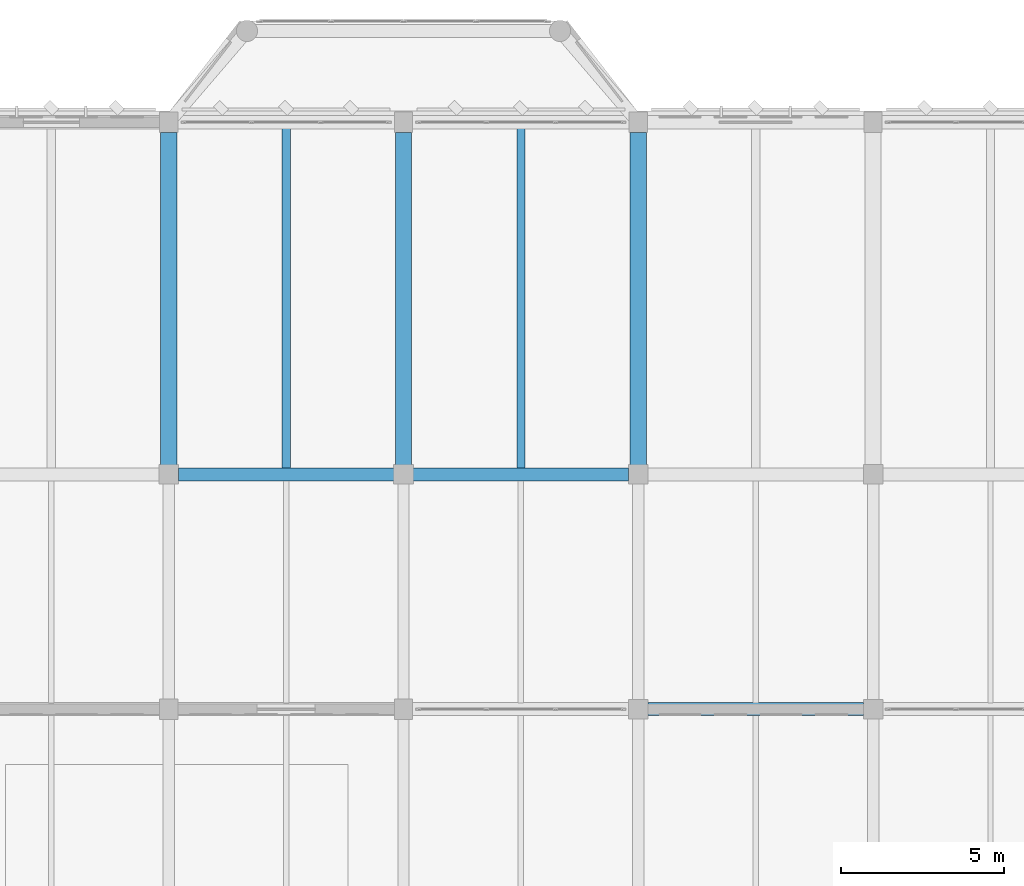
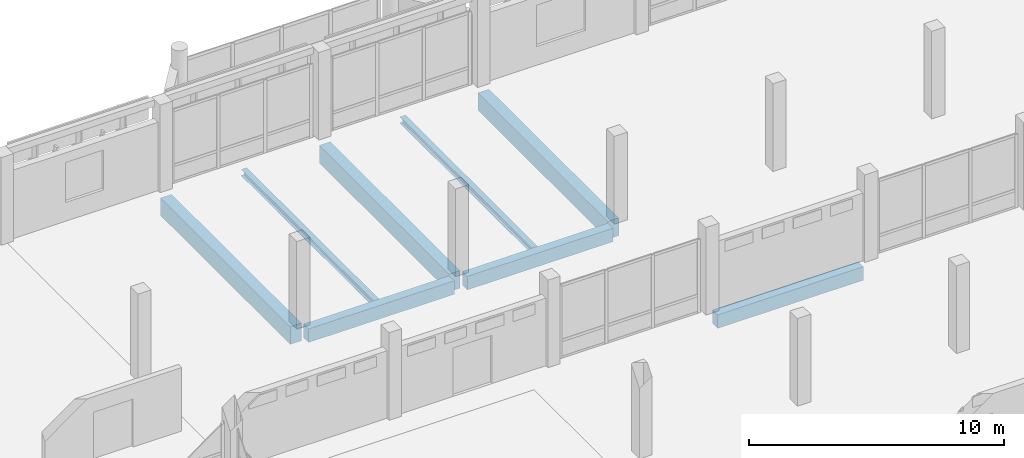
# One storey, part 109 of 158: 8 beams.
"""IFC4 building model written with IfcOpenShell, lengths in metres."""

from ifc_helpers import new_model, si_unit, direction, frame, origin, origin_2d, place, context, subcontext, project, spatial, rectangle, i_section, extrude, material, material_profile, profile_set, type_object, element, save


model = new_model("IFC4")

# Units and contexts
model_context = context("Model", 3, precision=1e-05, world=origin(), true_north=direction((0.0, 1.0)))
body_context = subcontext(model_context, "Body", "Model", "MODEL_VIEW")
ifc_project = project(units=[si_unit("LENGTHUNIT", "METRE"), si_unit("AREAUNIT", "SQUARE_METRE"), si_unit("VOLUMEUNIT", "CUBIC_METRE"), si_unit("PLANEANGLEUNIT", "RADIAN"), si_unit("MASSUNIT", "GRAM", prefix="KILO")], contexts=[model_context])

# Site, building, storey
site_placement = place(None, origin())
site = spatial("IfcSite", under=ifc_project, at=site_placement, CompositionType="ELEMENT")
building_placement = place(site_placement, origin())
building = spatial("IfcBuilding", under=site, at=building_placement, Name="Lusvemor Sports Hall", CompositionType="ELEMENT")
storey_placement = place(building_placement, frame((0.0, 0.0, 10.800048828125)))
storey = spatial("IfcBuildingStorey", under=building, at=storey_placement, Name="L02", CompositionType="ELEMENT", Elevation=10.800048828125)

# Beams
ifc_material_1 = material(Name="Concrete C40/50", Category="concrete")
ifc_material_profile_1 = material_profile(ifc_material_1, rectangle(XDim=0.39990234375, YDim=0.64990234375, at=origin_2d()), Name="RC400x650")
ifc_profile_set_1 = profile_set([ifc_material_profile_1], Name="Concrete C40/50")
beam_type_1 = type_object("IfcBeamType", Name="BEAM_RC_650", PredefinedType="BEAM", material=ifc_profile_set_1)
beam_1_placement = place(storey_placement, frame((140.696044921875, 97.199951171875, -0.5849609375), z_axis=(1.0, 0.0, 0.0), x_axis=(0.0, 1.0, 0.0)))
element("IfcBeam", 1, at=beam_1_placement, inside=storey, type_object=beam_type_1, Name="Beam L02 N:16-17", PredefinedType="BEAM", context=body_context, shape_type="SweptSolid", body=[
    extrude(rectangle(XDim=0.39990234375, YDim=0.64990234375, at=origin_2d()), origin(), (0.0, 0.0, 1.0), 6.60791015625),
])
beam_2_placement = place(storey_placement, frame((126.2958984375, 104.39990234375, -0.5849609375), z_axis=(1.0, 0.0, 0.0), x_axis=(0.0, 1.0, 0.0)))
element("IfcBeam", 2, at=beam_2_placement, inside=storey, type_object=beam_type_1, Name="Beam L02 P:14-15", PredefinedType="BEAM", context=body_context, shape_type="SweptSolid", body=[
    extrude(rectangle(XDim=0.39990234375, YDim=0.64990234375, at=origin_2d()), origin(), (0.0, 0.0, 1.0), 6.608154296875),
])
beam_3_placement = place(storey_placement, frame((133.49609375, 104.39990234375, -0.5849609375), z_axis=(1.0, 0.0, 0.0), x_axis=(0.0, 1.0, 0.0)))
element("IfcBeam", 3, at=beam_3_placement, inside=storey, type_object=beam_type_1, Name="Beam L02 P:15-16", PredefinedType="BEAM", context=body_context, shape_type="SweptSolid", body=[
    extrude(rectangle(XDim=0.39990234375, YDim=0.64990234375, at=origin_2d()), origin(), (0.0, 0.0, 1.0), 6.60791015625),
])
ifc_material_2 = material(Name="Concrete C40/50", Category="concrete")
ifc_material_profile_2 = material_profile(ifc_material_2, rectangle(XDim=0.5, YDim=0.85009765625, at=origin_2d()), Name="RC500x850")
ifc_profile_set_2 = profile_set([ifc_material_profile_2], Name="Concrete C40/50")
beam_type_2 = type_object("IfcBeamType", Name="GIRD_RC_850", PredefinedType="T_BEAM", material=ifc_profile_set_2)
for number, where, z_axis, x_axis, name in (
    (4, (126.0, 104.696044921875, -0.68505859375), (0.0, 1.0, 0.0), (-1.0, 0.0, 0.0), "Beam L02 14:P-Q"),
    (5, (133.199951171875, 104.696044921875, -0.68505859375), (0.0, 1.0, 0.0), (-1.0, 0.0, 0.0), "Beam L02 15:P-Q"),
    (6, (140.39990234375, 104.696044921875, -0.68505859375), (0.0, 1.0, 0.0), (-1.0, 0.0, 0.0), "Beam L02 16:P-Q"),
):
    element("IfcBeam", number, at=place(storey_placement, frame(where, z_axis=z_axis, x_axis=x_axis)), inside=storey, type_object=beam_type_2, Name=name, PredefinedType="T_BEAM", context=body_context, shape_type="SweptSolid", body=[
        extrude(rectangle(XDim=0.5, YDim=0.85009765625, at=origin_2d()), origin(), (0.0, 0.0, 1.0), 10.18798828125),
    ])
ifc_material_3 = material(Name="Steel S355", Category="steel")
ifc_material_profile_3 = material_profile(ifc_material_3, i_section(OverallWidth=0.25390625, OverallDepth=0.305908203125, WebThickness=0.0087890625, FlangeThickness=0.0146484375, FilletRadius=0.014892578125, at=origin_2d()), Name="W310x79.0")
ifc_profile_set_3 = profile_set([ifc_material_profile_3], Name="Steel S355")
beam_type_3 = type_object("IfcBeamType", Name="JOIST_ST_310H", PredefinedType="JOIST", material=ifc_profile_set_3)
for number, where, z_axis, x_axis, name in (
    (7, (129.60009765625, 104.595947265625, -0.4169921875), (0.0, 1.0, 0.0), (-1.0, 0.0, 0.0), "Secondary Joist L02 14-15/P-Q #1"),
    (8, (136.800048828125, 104.595947265625, -0.4169921875), (0.0, 1.0, 0.0), (-1.0, 0.0, 0.0), "Secondary Joist L02 15-16/P-Q #1"),
):
    element("IfcBeam", number, at=place(storey_placement, frame(where, z_axis=z_axis, x_axis=x_axis)), inside=storey, type_object=beam_type_3, Name=name, PredefinedType="JOIST", context=body_context, shape_type="SweptSolid", body=[
        extrude(i_section(OverallWidth=0.25390625, OverallDepth=0.305908203125, WebThickness=0.0087890625, FlangeThickness=0.0146484375, FilletRadius=0.014892578125, at=origin_2d()), origin(), (0.0, 0.0, 1.0), 10.407958984375),
    ])

save(model, "model.ifc")
